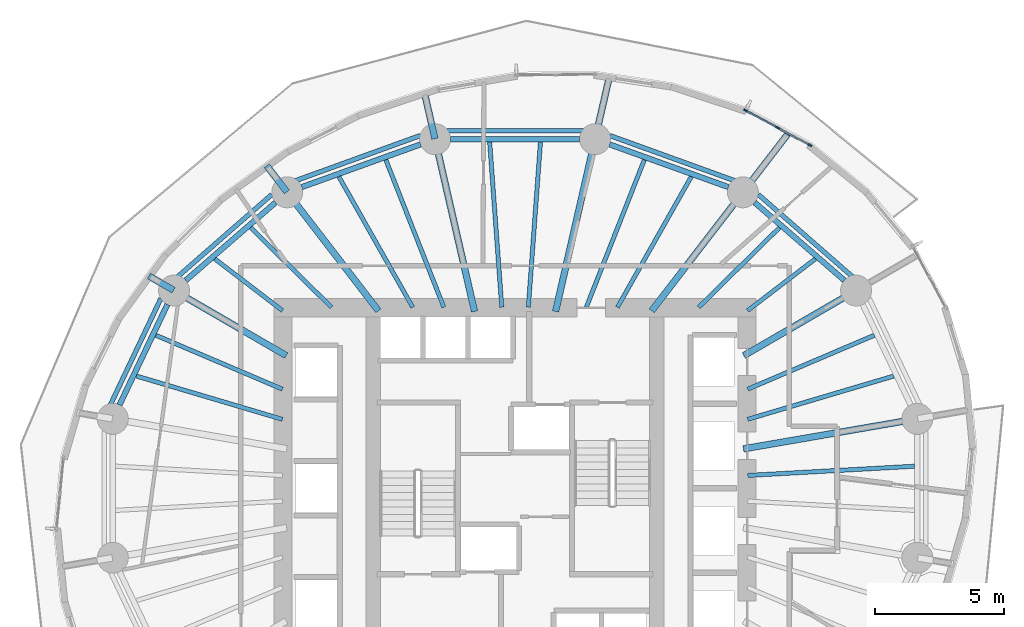
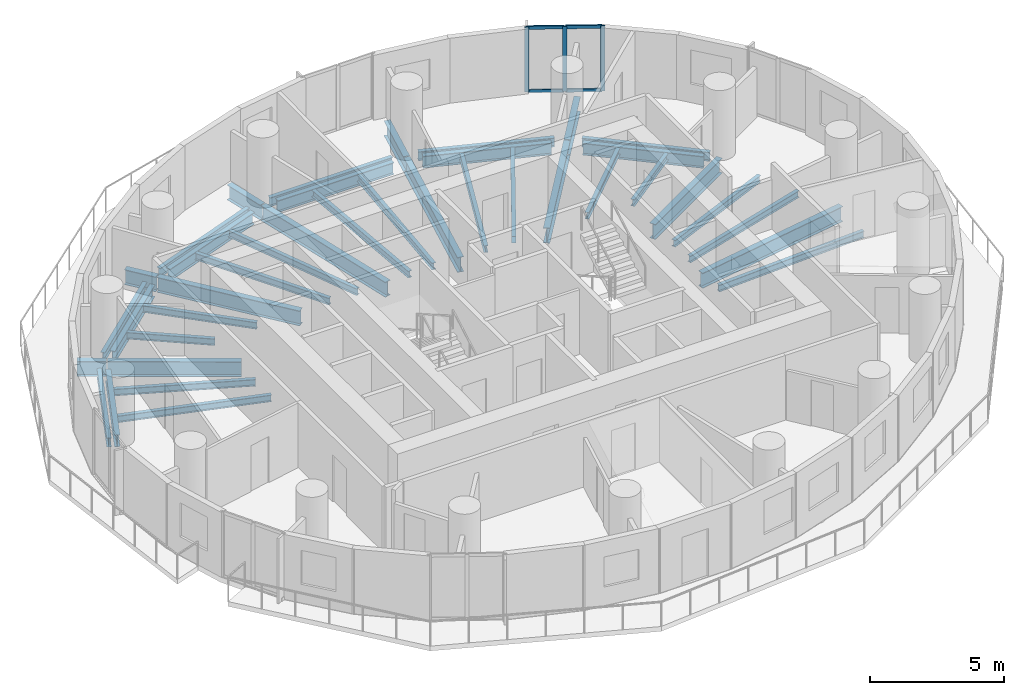
# One storey, part 4 of 14: 39 beams, 7 members, 1 element without a shape of its own.
"""IFC4 building model written with IfcOpenShell, lengths in metres."""

from ifc_helpers import new_model, si_unit, direction, frame, origin, origin_2d, place, context, subcontext, project, spatial, rectangle, i_section, extrude, material, material_profile, profile_set, type_object, element, aggregate, save


model = new_model("IFC4")

# Units and contexts
model_context = context("Model", 3, precision=1e-05, world=origin(), true_north=direction((0.0, 1.0)))
body_context = subcontext(model_context, "Body", "Model", "MODEL_VIEW")
ifc_project = project(units=[si_unit("LENGTHUNIT", "METRE"), si_unit("AREAUNIT", "SQUARE_METRE"), si_unit("VOLUMEUNIT", "CUBIC_METRE"), si_unit("PLANEANGLEUNIT", "RADIAN"), si_unit("MASSUNIT", "GRAM", prefix="KILO")], contexts=[model_context])

# Site, building, storey
site_placement = place(None, origin())
site = spatial("IfcSite", under=ifc_project, at=site_placement, CompositionType="ELEMENT")
building_placement = place(site_placement, origin())
building = spatial("IfcBuilding", under=site, at=building_placement, Name="Veldorim Arch Residences", CompositionType="ELEMENT")
storey_placement = place(building_placement, frame((0.0, 0.0, 96.47998046875)))
storey = spatial("IfcBuildingStorey", under=building, at=storey_placement, Name="L28", CompositionType="ELEMENT", Elevation=96.47998046875)

# Beams
ifc_material_1 = material(Name="Steel S355", Category="steel")
ifc_material_profile_1 = material_profile(ifc_material_1, i_section(OverallWidth=0.2119140625, OverallDepth=0.54443359375, WebThickness=0.0126953125, FlangeThickness=0.021240234375, at=origin_2d()), Name="UB533x210x122")
ifc_profile_set_1 = profile_set([ifc_material_profile_1], Name="Steel S355")
beam_type_1 = type_object("IfcBeamType", Name="Structural Steel Beam UB533x210x122", PredefinedType="BEAM", material=ifc_profile_set_1)
beam_1_placement = place(storey_placement, frame((44.767333984375, 32.060302734375, -0.51220703125), z_axis=(-0.755244952556, 0.655442645576, 0.0), x_axis=(-0.655442645576, -0.755244952556, 0.0)))
element("IfcBeam", 1, at=beam_1_placement, inside=storey, type_object=beam_type_1, Name="L28 perimeter ring tie beam 02", PredefinedType="BEAM", context=body_context, shape_type="SweptSolid", body=[
    extrude(i_section(OverallWidth=0.2119140625, OverallDepth=0.54443359375, WebThickness=0.0126953125, FlangeThickness=0.021240234375, at=origin_2d()), origin(), (0.0, 0.0, 1.0), 4.608642578125),
])
beam_2_placement = place(storey_placement, frame((40.26904296875, 35.67724609375, -0.51220703125), z_axis=(-0.941041944493, 0.338289903343, 0.0), x_axis=(-0.338289903343, -0.941041944493, 0.0)))
element("IfcBeam", 2, at=beam_2_placement, inside=storey, type_object=beam_type_1, Name="L28 perimeter ring tie beam 03", PredefinedType="BEAM", context=body_context, shape_type="SweptSolid", body=[
    extrude(i_section(OverallWidth=0.2119140625, OverallDepth=0.54443359375, WebThickness=0.0126953125, FlangeThickness=0.021240234375, at=origin_2d()), origin(), (0.0, 0.0, 1.0), 4.890869140625),
])
beam_3_placement = place(storey_placement, frame((34.501953125, 37.534912109375, -0.51220703125), z_axis=(-1.0, 0.0, 0.0), x_axis=(0.0, -1.0, 0.0)))
element("IfcBeam", 3, at=beam_3_placement, inside=storey, type_object=beam_type_1, Name="L28 perimeter ring tie beam 04", PredefinedType="BEAM", context=body_context, shape_type="SweptSolid", body=[
    extrude(i_section(OverallWidth=0.2119140625, OverallDepth=0.54443359375, WebThickness=0.0126953125, FlangeThickness=0.021240234375, at=origin_2d()), origin(), (0.0, 0.0, 1.0), 5.00390625),
])
beam_4_placement = place(storey_placement, frame((28.33349609375, 37.331787109375, -0.51220703125), z_axis=(-0.941041944493, -0.338289903343, 0.0), x_axis=(0.338289903343, -0.941041944493, 0.0)))
element("IfcBeam", 4, at=beam_4_placement, inside=storey, type_object=beam_type_1, Name="L28 perimeter ring tie beam 05", PredefinedType="BEAM", context=body_context, shape_type="SweptSolid", body=[
    extrude(i_section(OverallWidth=0.2119140625, OverallDepth=0.54443359375, WebThickness=0.0126953125, FlangeThickness=0.021240234375, at=origin_2d()), origin(), (0.0, 0.0, 1.0), 4.890869140625),
])
beam_5_placement = place(storey_placement, frame((22.71337890625, 35.0810546875, -0.51220703125), z_axis=(-0.755244952556, -0.655442645576, 0.0), x_axis=(0.655442645576, -0.755244952556, 0.0)))
element("IfcBeam", 5, at=beam_5_placement, inside=storey, type_object=beam_type_1, Name="L28 perimeter ring tie beam 06", PredefinedType="BEAM", context=body_context, shape_type="SweptSolid", body=[
    extrude(i_section(OverallWidth=0.2119140625, OverallDepth=0.54443359375, WebThickness=0.0126953125, FlangeThickness=0.021240234375, at=origin_2d()), origin(), (0.0, 0.0, 1.0), 4.608642578125),
])
beam_6_placement = place(storey_placement, frame((18.521240234375, 31.12548828125, -0.51220703125), z_axis=(-0.430720154476, -0.902485539235, 0.0), x_axis=(0.902485539235, -0.430720154476, 0.0)))
element("IfcBeam", 6, at=beam_6_placement, inside=storey, type_object=beam_type_1, Name="L28 perimeter ring tie beam 07", PredefinedType="BEAM", context=body_context, shape_type="SweptSolid", body=[
    extrude(i_section(OverallWidth=0.2119140625, OverallDepth=0.54443359375, WebThickness=0.0126953125, FlangeThickness=0.021240234375, at=origin_2d()), origin(), (0.0, 0.0, 1.0), 4.312255859375),
])
ifc_material_2 = material(Name="Steel S355", Category="steel")
ifc_material_profile_2 = material_profile(ifc_material_2, i_section(OverallWidth=0.25439453125, OverallDepth=0.6875, WebThickness=0.01318359375, FlangeThickness=0.02099609375, at=origin_2d()), Name="UB686x254x152")
ifc_profile_set_2 = profile_set([ifc_material_profile_2], Name="Steel S355")
beam_type_2 = type_object("IfcBeamType", Name="Structural Steel GIRDER UB686x254x152", PredefinedType="USERDEFINED", material=ifc_profile_set_2)
beam_7_placement = place(storey_placement, frame((40.852294921875, 25.5283203125, -0.583740234375), z_axis=(0.985426622718, 0.17010106184, 0.0), x_axis=(-0.17010106184, 0.985426622718, 0.0)))
element("IfcBeam", 7, at=beam_7_placement, inside=storey, type_object=beam_type_2, Name="L28 radial floor girder 01", ObjectType="GIRDER", PredefinedType="USERDEFINED", context=body_context, shape_type="SweptSolid", body=[
    extrude(i_section(OverallWidth=0.25439453125, OverallDepth=0.6875, WebThickness=0.01318359375, FlangeThickness=0.02099609375, at=origin_2d()), origin(), (0.0, 0.0, 1.0), 6.82177734375),
])
beam_8_placement = place(storey_placement, frame((40.8701171875, 29.14404296875, -0.583740234375), z_axis=(0.865048957682, 0.501687453314, 0.0), x_axis=(-0.501687453314, 0.865048957682, 0.0)))
element("IfcBeam", 8, at=beam_8_placement, inside=storey, type_object=beam_type_2, Name="L28 radial floor girder 02", ObjectType="GIRDER", PredefinedType="USERDEFINED", context=body_context, shape_type="SweptSolid", body=[
    extrude(i_section(OverallWidth=0.25439453125, OverallDepth=0.6875, WebThickness=0.01318359375, FlangeThickness=0.02099609375, at=origin_2d()), origin(), (0.0, 0.0, 1.0), 5.009033203125),
])
beam_9_placement = place(storey_placement, frame((37.297607421875, 30.881103515625, -0.583740234375), z_axis=(0.609994628196, 0.792405548676, 0.0), x_axis=(-0.792405548676, 0.609994628196, 0.0)))
element("IfcBeam", 9, at=beam_9_placement, inside=storey, type_object=beam_type_2, Name="L28 radial floor girder 03", ObjectType="GIRDER", PredefinedType="USERDEFINED", context=body_context, shape_type="SweptSolid", body=[
    extrude(i_section(OverallWidth=0.25439453125, OverallDepth=0.6875, WebThickness=0.01318359375, FlangeThickness=0.02099609375, at=origin_2d()), origin(), (0.0, 0.0, 1.0), 5.776611328125),
])
beam_10_placement = place(storey_placement, frame((40.845703125, 35.489990234375, -0.583740234375), z_axis=(0.610012928727, 0.792391460571, 0.0), x_axis=(-0.792391460571, 0.610012928727, 0.0)))
element("IfcBeam", 10, at=beam_10_placement, inside=storey, type_object=beam_type_2, Name="L28 radial edge cantilever girder 03", ObjectType="GIRDER", PredefinedType="USERDEFINED", context=body_context, shape_type="SweptSolid", body=[
    extrude(i_section(OverallWidth=0.25439453125, OverallDepth=0.6875, WebThickness=0.01318359375, FlangeThickness=0.02099609375, at=origin_2d()), origin(), (0.0, 0.0, 1.0), 2.85009765625),
])
beam_11_placement = place(storey_placement, frame((33.57080078125, 30.853759765625, -0.583740234375), z_axis=(0.223374742148, 0.97473264261, 0.0), x_axis=(-0.97473264261, 0.223374742148, 0.0)))
element("IfcBeam", 11, at=beam_11_placement, inside=storey, type_object=beam_type_2, Name="L28 radial floor girder 04", ObjectType="GIRDER", PredefinedType="USERDEFINED", context=body_context, shape_type="SweptSolid", body=[
    extrude(i_section(OverallWidth=0.25439453125, OverallDepth=0.6875, WebThickness=0.01318359375, FlangeThickness=0.02099609375, at=origin_2d()), origin(), (0.0, 0.0, 1.0), 6.834228515625),
])
beam_12_placement = place(storey_placement, frame((35.1064453125, 37.55419921875, -0.583740234375), z_axis=(0.223409552983, 0.974724664526, 0.0), x_axis=(-0.974724664526, 0.223409552983, 0.0)))
element("IfcBeam", 12, at=beam_12_placement, inside=storey, type_object=beam_type_2, Name="L28 radial edge cantilever girder 04", ObjectType="GIRDER", PredefinedType="USERDEFINED", context=body_context, shape_type="SweptSolid", body=[
    extrude(i_section(OverallWidth=0.25439453125, OverallDepth=0.6875, WebThickness=0.01318359375, FlangeThickness=0.02099609375, at=origin_2d()), origin(), (0.0, 0.0, 1.0), 2.4599609375),
])
beam_13_placement = place(storey_placement, frame((30.42919921875, 30.853759765625, -0.583740234375), z_axis=(-0.223374742148, 0.97473264261, 0.0), x_axis=(-0.97473264261, -0.223374742148, 0.0)))
element("IfcBeam", 13, at=beam_13_placement, inside=storey, type_object=beam_type_2, Name="L28 radial floor girder 05", ObjectType="GIRDER", PredefinedType="USERDEFINED", context=body_context, shape_type="SweptSolid", body=[
    extrude(i_section(OverallWidth=0.25439453125, OverallDepth=0.6875, WebThickness=0.01318359375, FlangeThickness=0.02099609375, at=origin_2d()), origin(), (0.0, 0.0, 1.0), 6.834228515625),
])
beam_14_placement = place(storey_placement, frame((28.8935546875, 37.55419921875, -0.583740234375), z_axis=(-0.223360224224, 0.974735969499, 0.0), x_axis=(-0.974735969499, -0.223360224224, 0.0)))
element("IfcBeam", 14, at=beam_14_placement, inside=storey, type_object=beam_type_2, Name="L28 radial edge cantilever girder 05", ObjectType="GIRDER", PredefinedType="USERDEFINED", context=body_context, shape_type="SweptSolid", body=[
    extrude(i_section(OverallWidth=0.25439453125, OverallDepth=0.6875, WebThickness=0.01318359375, FlangeThickness=0.02099609375, at=origin_2d()), origin(), (0.0, 0.0, 1.0), 1.81982421875),
])
beam_15_placement = place(storey_placement, frame((26.702392578125, 30.881103515625, -0.583740234375), z_axis=(-0.609994628196, 0.792405548676, 0.0), x_axis=(-0.792405548676, -0.609994628196, 0.0)))
element("IfcBeam", 15, at=beam_15_placement, inside=storey, type_object=beam_type_2, Name="L28 radial floor girder 06", ObjectType="GIRDER", PredefinedType="USERDEFINED", context=body_context, shape_type="SweptSolid", body=[
    extrude(i_section(OverallWidth=0.25439453125, OverallDepth=0.6875, WebThickness=0.01318359375, FlangeThickness=0.02099609375, at=origin_2d()), origin(), (0.0, 0.0, 1.0), 5.776611328125),
])
beam_16_placement = place(storey_placement, frame((23.154296875, 35.489990234375, -0.583740234375), z_axis=(-0.609941382305, 0.79244653457, 0.0), x_axis=(-0.79244653457, -0.609941382305, 0.0)))
element("IfcBeam", 16, at=beam_16_placement, inside=storey, type_object=beam_type_2, Name="L28 radial edge cantilever girder 06", ObjectType="GIRDER", PredefinedType="USERDEFINED", context=body_context, shape_type="SweptSolid", body=[
    extrude(i_section(OverallWidth=0.25439453125, OverallDepth=0.6875, WebThickness=0.01318359375, FlangeThickness=0.02099609375, at=origin_2d()), origin(), (0.0, 0.0, 1.0), 1.27880859375),
])
beam_17_placement = place(storey_placement, frame((23.1298828125, 29.14404296875, -0.583740234375), z_axis=(-0.865048957682, 0.501687453314, 0.0), x_axis=(-0.501687453314, -0.865048957682, 0.0)))
element("IfcBeam", 17, at=beam_17_placement, inside=storey, type_object=beam_type_2, Name="L28 radial floor girder 07", ObjectType="GIRDER", PredefinedType="USERDEFINED", context=body_context, shape_type="SweptSolid", body=[
    extrude(i_section(OverallWidth=0.25439453125, OverallDepth=0.6875, WebThickness=0.01318359375, FlangeThickness=0.02099609375, at=origin_2d()), origin(), (0.0, 0.0, 1.0), 5.009033203125),
])
beam_18_placement = place(storey_placement, frame((18.76220703125, 31.677001953125, -0.583740234375), z_axis=(-0.86508299699, 0.501628755474, 0.0), x_axis=(-0.501628755474, -0.86508299699, 0.0)))
element("IfcBeam", 18, at=beam_18_placement, inside=storey, type_object=beam_type_2, Name="L28 radial edge cantilever girder 07", ObjectType="GIRDER", PredefinedType="USERDEFINED", context=body_context, shape_type="SweptSolid", body=[
    extrude(i_section(OverallWidth=0.25439453125, OverallDepth=0.6875, WebThickness=0.01318359375, FlangeThickness=0.02099609375, at=origin_2d()), origin(), (0.0, 0.0, 1.0), 1.104248046875),
])
ifc_material_3 = material(Name="Steel S355", Category="steel")
ifc_material_profile_3 = material_profile(ifc_material_3, i_section(OverallWidth=0.165771484375, OverallDepth=0.306640625, WebThickness=0.006591796875, FlangeThickness=0.01171875, at=origin_2d()), Name="UB305x165x46")
ifc_profile_set_3 = profile_set([ifc_material_profile_3], Name="Steel S355")
beam_type_3 = type_object("IfcBeamType", Name="Structural Steel Joist UB305x165x46", PredefinedType="JOIST", material=ifc_profile_set_3)
beam_19_placement = place(storey_placement, frame((41.019287109375, 26.673583984375, -0.393310546875), z_axis=(0.958753061488, 0.284240333324, 0.0), x_axis=(-0.284240333324, 0.958753061488, 0.0)))
element("IfcBeam", 19, at=beam_19_placement, inside=storey, type_object=beam_type_3, Name="L28 secondary radial floor joist 01-1", PredefinedType="JOIST", context=body_context, shape_type="SweptSolid", body=[
    extrude(i_section(OverallWidth=0.165771484375, OverallDepth=0.306640625, WebThickness=0.006591796875, FlangeThickness=0.01171875, at=origin_2d()), origin(), (0.0, 0.0, 1.0), 5.906005859375),
])
beam_20_placement = place(storey_placement, frame((41.018310546875, 27.841552734375, -0.393310546875), z_axis=(0.919997395122, 0.391924473552, 0.0), x_axis=(-0.391924473552, 0.919997395122, 0.0)))
element("IfcBeam", 20, at=beam_20_placement, inside=storey, type_object=beam_type_3, Name="L28 secondary radial floor joist 01-2", PredefinedType="JOIST", context=body_context, shape_type="SweptSolid", body=[
    extrude(i_section(OverallWidth=0.165771484375, OverallDepth=0.306640625, WebThickness=0.006591796875, FlangeThickness=0.01171875, at=origin_2d()), origin(), (0.0, 0.0, 1.0), 5.334716796875),
])
beam_21_placement = place(storey_placement, frame((41.015869140625, 30.888427734375, -0.393310546875), z_axis=(0.794594763594, 0.60714014994, 0.0), x_axis=(-0.60714014994, 0.794594763594, 0.0)))
element("IfcBeam", 21, at=beam_21_placement, inside=storey, type_object=beam_type_3, Name="L28 secondary radial floor joist 02-1", PredefinedType="JOIST", context=body_context, shape_type="SweptSolid", body=[
    extrude(i_section(OverallWidth=0.165771484375, OverallDepth=0.306640625, WebThickness=0.006591796875, FlangeThickness=0.01171875, at=origin_2d()), origin(), (0.0, 0.0, 1.0), 3.30419921875),
])
beam_22_placement = place(storey_placement, frame((39.114013671875, 31.013916015625, -0.393310546875), z_axis=(0.712111629941, 0.702066255066, 0.0), x_axis=(-0.702066255066, 0.712111629941, 0.0)))
element("IfcBeam", 22, at=beam_22_placement, inside=storey, type_object=beam_type_3, Name="L28 secondary radial floor joist 02-2", PredefinedType="JOIST", context=body_context, shape_type="SweptSolid", body=[
    extrude(i_section(OverallWidth=0.165771484375, OverallDepth=0.306640625, WebThickness=0.006591796875, FlangeThickness=0.01171875, at=origin_2d()), origin(), (0.0, 0.0, 1.0), 4.39892578125),
])
beam_23_placement = place(storey_placement, frame((35.96826171875, 31.017333984375, -0.393310546875), z_axis=(0.492227411199, 0.870466642476, 0.0), x_axis=(-0.870466642476, 0.492227411199, 0.0)))
element("IfcBeam", 23, at=beam_23_placement, inside=storey, type_object=beam_type_3, Name="L28 secondary radial floor joist 03-1", PredefinedType="JOIST", context=body_context, shape_type="SweptSolid", body=[
    extrude(i_section(OverallWidth=0.165771484375, OverallDepth=0.306640625, WebThickness=0.006591796875, FlangeThickness=0.01171875, at=origin_2d()), origin(), (0.0, 0.0, 1.0), 5.81494140625),
])
beam_24_placement = place(storey_placement, frame((34.761962890625, 31.0185546875, -0.393310546875), z_axis=(0.366194870364, 0.930538186707, 0.0), x_axis=(-0.930538186707, 0.366194870364, 0.0)))
element("IfcBeam", 24, at=beam_24_placement, inside=storey, type_object=beam_type_3, Name="L28 secondary radial floor joist 03-2", PredefinedType="JOIST", context=body_context, shape_type="SweptSolid", body=[
    extrude(i_section(OverallWidth=0.165771484375, OverallDepth=0.306640625, WebThickness=0.006591796875, FlangeThickness=0.01171875, at=origin_2d()), origin(), (0.0, 0.0, 1.0), 6.1396484375),
])
for number, where, z_axis, x_axis, name in (
    (25, (32.514892578125, 31.02001953125, -0.393310546875), (0.073143494169, 0.997321427254, 0.0), (-0.997321427254, 0.073143494169, 0.0), "L28 secondary radial floor joist 04-1"),
    (26, (31.485107421875, 31.02001953125, -0.393310546875), (-0.073143494169, 0.997321427254, 0.0), (-0.997321427254, -0.073143494169, 0.0), "L28 secondary radial floor joist 04-2"),
):
    element("IfcBeam", number, at=place(storey_placement, frame(where, z_axis=z_axis, x_axis=x_axis)), inside=storey, type_object=beam_type_3, Name=name, PredefinedType="JOIST", context=body_context, shape_type="SweptSolid", body=[
        extrude(i_section(OverallWidth=0.165771484375, OverallDepth=0.306640625, WebThickness=0.006591796875, FlangeThickness=0.01171875, at=origin_2d()), origin(), (0.0, 0.0, 1.0), 6.421875),
    ])
beam_25_placement = place(storey_placement, frame((29.238037109375, 31.0185546875, -0.393310546875), z_axis=(-0.366194870364, 0.930538186707, 0.0), x_axis=(-0.930538186707, -0.366194870364, 0.0)))
element("IfcBeam", 27, at=beam_25_placement, inside=storey, type_object=beam_type_3, Name="L28 secondary radial floor joist 05-1", PredefinedType="JOIST", context=body_context, shape_type="SweptSolid", body=[
    extrude(i_section(OverallWidth=0.165771484375, OverallDepth=0.306640625, WebThickness=0.006591796875, FlangeThickness=0.01171875, at=origin_2d()), origin(), (0.0, 0.0, 1.0), 6.1396484375),
])
beam_26_placement = place(storey_placement, frame((28.03173828125, 31.017333984375, -0.393310546875), z_axis=(-0.492227411199, 0.870466642476, 0.0), x_axis=(-0.870466642476, -0.492227411199, 0.0)))
element("IfcBeam", 28, at=beam_26_placement, inside=storey, type_object=beam_type_3, Name="L28 secondary radial floor joist 05-2", PredefinedType="JOIST", context=body_context, shape_type="SweptSolid", body=[
    extrude(i_section(OverallWidth=0.165771484375, OverallDepth=0.306640625, WebThickness=0.006591796875, FlangeThickness=0.01171875, at=origin_2d()), origin(), (0.0, 0.0, 1.0), 5.81494140625),
])
beam_27_placement = place(storey_placement, frame((24.885986328125, 31.013916015625, -0.393310546875), z_axis=(-0.712111629941, 0.702066255066, 0.0), x_axis=(-0.702066255066, -0.712111629941, 0.0)))
element("IfcBeam", 29, at=beam_27_placement, inside=storey, type_object=beam_type_3, Name="L28 secondary radial floor joist 06-1", PredefinedType="JOIST", context=body_context, shape_type="SweptSolid", body=[
    extrude(i_section(OverallWidth=0.165771484375, OverallDepth=0.306640625, WebThickness=0.006591796875, FlangeThickness=0.01171875, at=origin_2d()), origin(), (0.0, 0.0, 1.0), 4.39892578125),
])
beam_28_placement = place(storey_placement, frame((22.984130859375, 30.888427734375, -0.393310546875), z_axis=(-0.794594763594, 0.60714014994, 0.0), x_axis=(-0.60714014994, -0.794594763594, 0.0)))
element("IfcBeam", 30, at=beam_28_placement, inside=storey, type_object=beam_type_3, Name="L28 secondary radial floor joist 06-2", PredefinedType="JOIST", context=body_context, shape_type="SweptSolid", body=[
    extrude(i_section(OverallWidth=0.165771484375, OverallDepth=0.306640625, WebThickness=0.006591796875, FlangeThickness=0.01171875, at=origin_2d()), origin(), (0.0, 0.0, 1.0), 3.30419921875),
])
beam_29_placement = place(storey_placement, frame((22.981689453125, 27.841552734375, -0.393310546875), z_axis=(-0.919997395122, 0.391924473552, 0.0), x_axis=(-0.391924473552, -0.919997395122, 0.0)))
element("IfcBeam", 31, at=beam_29_placement, inside=storey, type_object=beam_type_3, Name="L28 secondary radial floor joist 07-1", PredefinedType="JOIST", context=body_context, shape_type="SweptSolid", body=[
    extrude(i_section(OverallWidth=0.165771484375, OverallDepth=0.306640625, WebThickness=0.006591796875, FlangeThickness=0.01171875, at=origin_2d()), origin(), (0.0, 0.0, 1.0), 5.334716796875),
])
beam_30_placement = place(storey_placement, frame((22.980712890625, 26.673583984375, -0.393310546875), z_axis=(-0.958753061488, 0.284240333324, 0.0), x_axis=(-0.284240333324, -0.958753061488, 0.0)))
element("IfcBeam", 32, at=beam_30_placement, inside=storey, type_object=beam_type_3, Name="L28 secondary radial floor joist 07-2", PredefinedType="JOIST", context=body_context, shape_type="SweptSolid", body=[
    extrude(i_section(OverallWidth=0.165771484375, OverallDepth=0.306640625, WebThickness=0.006591796875, FlangeThickness=0.01171875, at=origin_2d()), origin(), (0.0, 0.0, 1.0), 5.906005859375),
])
beam_31_placement = place(storey_placement, frame((41.02001953125, 24.498291015625, -0.393310546875), z_axis=(0.99847713097, 0.055167190702, 0.0), x_axis=(-0.055167190702, 0.99847713097, 0.0)))
element("IfcBeam", 33, at=beam_31_placement, inside=storey, type_object=beam_type_3, Name="L28 secondary radial floor joist 16-2", PredefinedType="JOIST", context=body_context, shape_type="SweptSolid", body=[
    extrude(i_section(OverallWidth=0.165771484375, OverallDepth=0.306640625, WebThickness=0.006591796875, FlangeThickness=0.01171875, at=origin_2d()), origin(), (0.0, 0.0, 1.0), 6.474365234375),
])
ifc_material_4 = material(Name="Steel S355", Category="steel")
ifc_material_profile_4 = material_profile(ifc_material_4, i_section(OverallWidth=0.1787109375, OverallDepth=0.409423828125, WebThickness=0.0087890625, FlangeThickness=0.014404296875, at=origin_2d()), Name="UB406x178x67")
ifc_profile_set_4 = profile_set([ifc_material_profile_4], Name="Steel S355")
beam_type_4 = type_object("IfcBeamType", Name="Structural Steel Spandrel UB406x178x67", PredefinedType="SPANDREL", material=ifc_profile_set_4)
beam_32_placement = place(storey_placement, frame((45.108154296875, 32.1796875, -0.464599609375), z_axis=(-0.753323239074, 0.65765043714, 0.0), x_axis=(-0.65765043714, -0.753323239074, 0.0)))
element("IfcBeam", 34, at=beam_32_placement, inside=storey, type_object=beam_type_4, Name="L28 perimeter chord spandrel beam 02", PredefinedType="SPANDREL", context=body_context, shape_type="SweptSolid", body=[
    extrude(i_section(OverallWidth=0.1787109375, OverallDepth=0.409423828125, WebThickness=0.0087890625, FlangeThickness=0.014404296875, at=origin_2d()), origin(), (0.0, 0.0, 1.0), 4.879150390625),
])
beam_33_placement = place(storey_placement, frame((40.538330078125, 35.91552734375, -0.464599609375), z_axis=(-0.940307501418, 0.340326024244, 0.0), x_axis=(-0.340326024244, -0.940307501418, 0.0)))
element("IfcBeam", 35, at=beam_33_placement, inside=storey, type_object=beam_type_4, Name="L28 perimeter chord spandrel beam 03", PredefinedType="SPANDREL", context=body_context, shape_type="SweptSolid", body=[
    extrude(i_section(OverallWidth=0.1787109375, OverallDepth=0.409423828125, WebThickness=0.0087890625, FlangeThickness=0.014404296875, at=origin_2d()), origin(), (0.0, 0.0, 1.0), 5.175048828125),
])
beam_34_placement = place(storey_placement, frame((34.647705078125, 37.8564453125, -0.464599609375), z_axis=(-1.0, 0.0, 0.0), x_axis=(0.0, -1.0, 0.0)))
element("IfcBeam", 36, at=beam_34_placement, inside=storey, type_object=beam_type_4, Name="L28 perimeter chord spandrel beam 04", PredefinedType="SPANDREL", context=body_context, shape_type="SweptSolid", body=[
    extrude(i_section(OverallWidth=0.1787109375, OverallDepth=0.409423828125, WebThickness=0.0087890625, FlangeThickness=0.014404296875, at=origin_2d()), origin(), (0.0, 0.0, 1.0), 5.29541015625),
])
beam_35_placement = place(storey_placement, frame((28.327880859375, 37.6767578125, -0.464599609375), z_axis=(-0.940307501418, -0.340326024244, 0.0), x_axis=(0.340326024244, -0.940307501418, 0.0)))
element("IfcBeam", 37, at=beam_35_placement, inside=storey, type_object=beam_type_4, Name="L28 perimeter chord spandrel beam 05", PredefinedType="SPANDREL", context=body_context, shape_type="SweptSolid", body=[
    extrude(i_section(OverallWidth=0.1787109375, OverallDepth=0.409423828125, WebThickness=0.0087890625, FlangeThickness=0.014404296875, at=origin_2d()), origin(), (0.0, 0.0, 1.0), 5.175048828125),
])
beam_36_placement = place(storey_placement, frame((22.5673828125, 35.388427734375, -0.464599609375), z_axis=(-0.753323239074, -0.65765043714, 0.0), x_axis=(0.65765043714, -0.753323239074, 0.0)))
element("IfcBeam", 38, at=beam_36_placement, inside=storey, type_object=beam_type_4, Name="L28 perimeter chord spandrel beam 06", PredefinedType="SPANDREL", context=body_context, shape_type="SweptSolid", body=[
    extrude(i_section(OverallWidth=0.1787109375, OverallDepth=0.409423828125, WebThickness=0.0087890625, FlangeThickness=0.014404296875, at=origin_2d()), origin(), (0.0, 0.0, 1.0), 4.879150390625),
])
beam_37_placement = place(storey_placement, frame((18.267578125, 31.35546875, -0.464599609375), z_axis=(-0.428857472204, -0.903372165021, 0.0), x_axis=(0.903372165021, -0.428857472204, 0.0)))
element("IfcBeam", 39, at=beam_37_placement, inside=storey, type_object=beam_type_4, Name="L28 perimeter chord spandrel beam 07", PredefinedType="SPANDREL", context=body_context, shape_type="SweptSolid", body=[
    extrude(i_section(OverallWidth=0.1787109375, OverallDepth=0.409423828125, WebThickness=0.0087890625, FlangeThickness=0.014404296875, at=origin_2d()), origin(), (0.0, 0.0, 1.0), 4.572021484375),
])

# Curtain wall, members
ifc_material_5 = material(Name="Aluminium", Category="aluminium")
curtain_wall_type = type_object("IfcCurtainWallType", Name="Zone 2 Solar-Control Unitised Curtain Wall", PredefinedType="NOTDEFINED", material=ifc_material_5)
curtain_wall_placement = place(storey_placement, origin())
curtain_wall = element("IfcCurtainWall", 40, at=curtain_wall_placement, inside=storey, type_object=curtain_wall_type, Name="L28 unitised curtain wall bay 04", PredefinedType="NOTDEFINED")
ifc_material_6 = material(Name="Aluminium", Category="aluminium")
ifc_material_profile_5 = material_profile(ifc_material_6, rectangle(XDim=0.06494140625, YDim=0.1650390625, at=origin_2d()), Name="ALU_MUL_65x165")
ifc_profile_set_5 = profile_set([ifc_material_profile_5], Name="Aluminium")
member_type_1 = type_object("IfcMemberType", Name="Zone 2 Solar-Control Unitised Curtain Wall Mullion 65x165", PredefinedType="MULLION", material=ifc_profile_set_5)
member_1_placement = place(storey_placement, frame((40.93359375, 38.65185546875, 0.0), z_axis=(0.0, 0.0, 1.0), x_axis=(0.476096408895, 0.879393091534, 0.0)))
member_1 = element("IfcMember", 41, at=member_1_placement, type_object=member_type_1, Name="CW-Z2 mullion 1", PredefinedType="MULLION", context=body_context, shape_type="SweptSolid", body=[
    extrude(rectangle(XDim=0.06494140625, YDim=0.1650390625, at=origin_2d()), origin(), (0.0, 0.0, 1.0), 2.9599609375),
])
member_2_placement = place(storey_placement, frame((42.179443359375, 37.9775390625, 0.0), z_axis=(0.0, 0.0, 1.0), x_axis=(0.476096408895, 0.879393091534, 0.0)))
member_2 = element("IfcMember", 42, at=member_2_placement, type_object=member_type_1, Name="CW-Z2 mullion 2", PredefinedType="MULLION", context=body_context, shape_type="SweptSolid", body=[
    extrude(rectangle(XDim=0.06494140625, YDim=0.1650390625, at=origin_2d()), origin(), (0.0, 0.0, 1.0), 2.9599609375),
])
member_3_placement = place(storey_placement, frame((43.42529296875, 37.302978515625, 0.0), z_axis=(0.0, 0.0, 1.0), x_axis=(0.476096408895, 0.879393091534, 0.0)))
member_3 = element("IfcMember", 43, at=member_3_placement, type_object=member_type_1, Name="CW-Z2 mullion 3", PredefinedType="MULLION", context=body_context, shape_type="SweptSolid", body=[
    extrude(rectangle(XDim=0.06494140625, YDim=0.1650390625, at=origin_2d()), origin(), (0.0, 0.0, 1.0), 2.9599609375),
])
ifc_material_7 = material(Name="Aluminium", Category="aluminium")
ifc_material_profile_6 = material_profile(ifc_material_7, rectangle(XDim=0.06494140625, YDim=0.14501953125, at=origin_2d()), Name="ALU_TRN_65x145")
ifc_profile_set_6 = profile_set([ifc_material_profile_6], Name="Aluminium")
member_type_2 = type_object("IfcMemberType", Name="Zone 2 Solar-Control Unitised Curtain Wall Transom 65x145", PredefinedType="USERDEFINED", material=ifc_profile_set_6)
member_4_placement = place(storey_placement, frame((40.962158203125, 38.636474609375, 0.032470703125), z_axis=(0.879395948535, -0.476091131718, 0.0), x_axis=(0.476091131718, 0.879395948535, 0.0)))
member_4 = element("IfcMember", 44, at=member_4_placement, type_object=member_type_2, Name="CW-Z2 transom 1.1", ObjectType="TRANSOM", PredefinedType="USERDEFINED", context=body_context, shape_type="SweptSolid", body=[
    extrude(rectangle(XDim=0.06494140625, YDim=0.14501953125, at=origin_2d()), origin(), (0.0, 0.0, 1.0), 1.351806640625),
])
member_5_placement = place(storey_placement, frame((40.962158203125, 38.636474609375, 2.927490234375), z_axis=(0.879395948535, -0.476091131718, 0.0), x_axis=(0.476091131718, 0.879395948535, 0.0)))
member_5 = element("IfcMember", 45, at=member_5_placement, type_object=member_type_2, Name="CW-Z2 transom 1.2", ObjectType="TRANSOM", PredefinedType="USERDEFINED", context=body_context, shape_type="SweptSolid", body=[
    extrude(rectangle(XDim=0.06494140625, YDim=0.14501953125, at=origin_2d()), origin(), (0.0, 0.0, 1.0), 1.351806640625),
])
member_6_placement = place(storey_placement, frame((42.2080078125, 37.9619140625, 0.032470703125), z_axis=(0.879395948535, -0.476091131718, 0.0), x_axis=(0.476091131718, 0.879395948535, 0.0)))
member_6 = element("IfcMember", 46, at=member_6_placement, type_object=member_type_2, Name="CW-Z2 transom 2.1", ObjectType="TRANSOM", PredefinedType="USERDEFINED", context=body_context, shape_type="SweptSolid", body=[
    extrude(rectangle(XDim=0.06494140625, YDim=0.14501953125, at=origin_2d()), origin(), (0.0, 0.0, 1.0), 1.351806640625),
])
member_7_placement = place(storey_placement, frame((42.2080078125, 37.9619140625, 2.927490234375), z_axis=(0.879395948535, -0.476091131718, 0.0), x_axis=(0.476091131718, 0.879395948535, 0.0)))
member_7 = element("IfcMember", 47, at=member_7_placement, type_object=member_type_2, Name="CW-Z2 transom 2.2", ObjectType="TRANSOM", PredefinedType="USERDEFINED", context=body_context, shape_type="SweptSolid", body=[
    extrude(rectangle(XDim=0.06494140625, YDim=0.14501953125, at=origin_2d()), origin(), (0.0, 0.0, 1.0), 1.351806640625),
])
aggregate(curtain_wall, [member_1, member_2, member_3, member_4, member_5, member_6, member_7])

save(model, "model.ifc")
